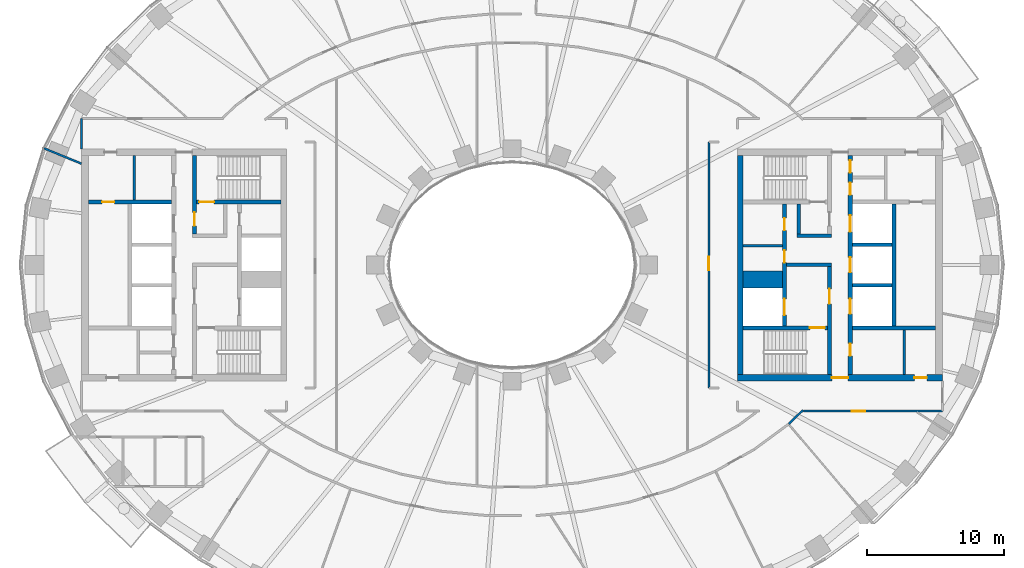
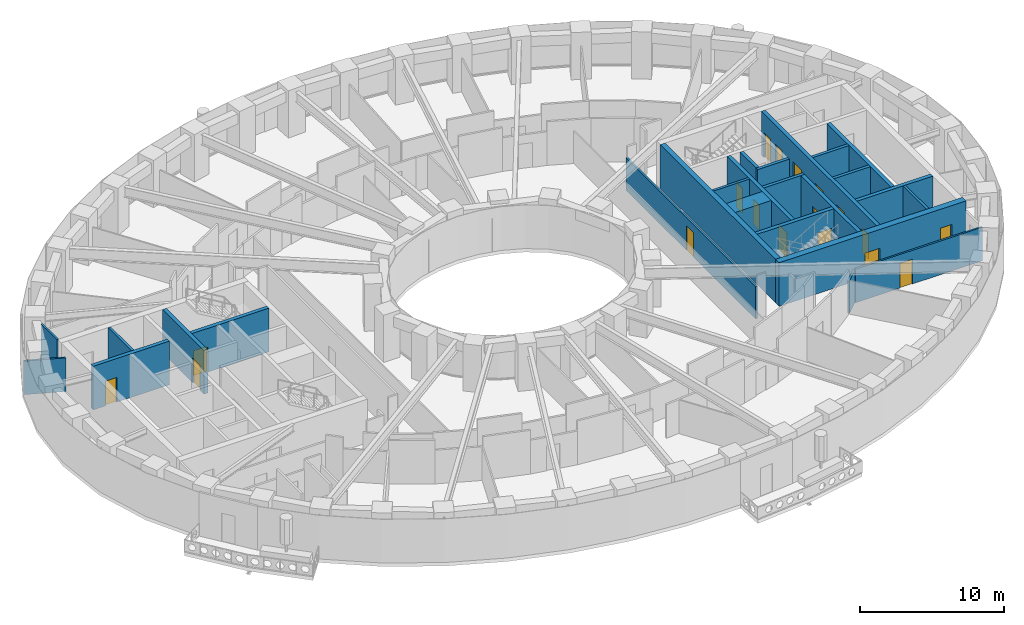
# One storey, part 5 of 16: 25 walls, 18 doors, 18 openings.
"""IFC4 building model written with IfcOpenShell, lengths in metres."""

from ifc_helpers import new_model, si_unit, direction, frame, frame_2d, origin, place, context, subcontext, project, spatial, rectangle, extrude, material, layer, layer_set, type_object, element, fill, save


model = new_model("IFC4")

# Units and contexts
model_context = context("Model", 3, precision=1e-05, world=origin(), true_north=direction((0.0, 1.0)))
body_context = subcontext(model_context, "Body", "Model", "MODEL_VIEW")
ifc_project = project(units=[si_unit("LENGTHUNIT", "METRE"), si_unit("AREAUNIT", "SQUARE_METRE"), si_unit("VOLUMEUNIT", "CUBIC_METRE"), si_unit("PLANEANGLEUNIT", "RADIAN"), si_unit("MASSUNIT", "GRAM", prefix="KILO")], contexts=[model_context])

# Site, building, storey
site_placement = place(None, origin())
site = spatial("IfcSite", under=ifc_project, at=site_placement, CompositionType="ELEMENT")
building_placement = place(site_placement, origin())
building = spatial("IfcBuilding", under=site, at=building_placement, Name="Noorbagh Ring Tower", CompositionType="ELEMENT")
storey_placement = place(building_placement, frame((0.0, 0.0, 66.5)))
storey = spatial("IfcBuildingStorey", under=building, at=storey_placement, Name="L14", CompositionType="ELEMENT", Elevation=66.5)

# Walls
ifc_material_1 = material(Name="Gypsum board on steel studs", Category="steel")
ifc_layer_1 = layer(ifc_material_1, 0.199951171875)
ifc_layer_set_1 = layer_set([ifc_layer_1], Name="Gypsum board on steel studs")
wall_type_1 = type_object("IfcWallType", Name="CORE-PARTITION-200", PredefinedType="PARTITIONING", material=ifc_layer_set_1)
wall_1_placement = place(storey_placement, frame((-27.64990234375, 4.75, 0.0), z_axis=(0.0, 0.0, 1.0), x_axis=(0.0, 1.0, 0.0)))
element("IfcWall", 1, at=wall_1_placement, inside=storey, type_object=wall_type_1, Name="Core partition W", PredefinedType="PARTITIONING", context=body_context, shape_type="SweptSolid", body=[
    extrude(rectangle(XDim=3.25, YDim=0.199951171875, at=frame_2d((1.625, 0.0))), origin(), (0.0, 0.0, 1.0), 3.699951171875),
])
wall_2_placement = place(storey_placement, frame((16.89990234375, 1.39990234375, 0.0), z_axis=(0.0, 0.0, 1.0), x_axis=(1.0, 0.0, 0.0)))
element("IfcWall", 2, at=wall_2_placement, inside=storey, type_object=wall_type_1, Name="Core partition E", PredefinedType="PARTITIONING", context=body_context, shape_type="SweptSolid", body=[
    extrude(rectangle(XDim=2.900146484375, YDim=0.199951171875, at=frame_2d((1.4501953125, 0.0))), origin(), (0.0, 0.0, 1.0), 3.699951171875),
])
wall_3_placement = place(storey_placement, frame((28.699951171875, -8.0, 0.0), z_axis=(0.0, 0.0, 1.0), x_axis=(0.0, 1.0, 0.0)))
element("IfcWall", 3, at=wall_3_placement, inside=storey, type_object=wall_type_1, Name="Core partition E", PredefinedType="PARTITIONING", context=body_context, shape_type="SweptSolid", body=[
    extrude(rectangle(XDim=3.25, YDim=0.199951171875, at=frame_2d((1.625, 0.0))), origin(), (0.0, 0.0, 1.0), 3.699951171875),
])
ifc_material_2 = material(Name="Concrete C70/85", Category="concrete")
ifc_layer_2 = layer(ifc_material_2, 1.25)
ifc_layer_set_2 = layer_set([ifc_layer_2], Name="Concrete C70/85")
wall_type_2 = type_object("IfcWallType", Name="CORE-WALL-1250-C70-85-EI120", PredefinedType="SHEAR", material=ifc_layer_set_2)
wall_4_placement = place(storey_placement, frame((16.89990234375, -1.074951171875, 0.0), z_axis=(0.0, 0.0, 1.0), x_axis=(1.0, 0.0, 0.0)))
element("IfcWall", 4, at=wall_4_placement, inside=storey, type_object=wall_type_2, Name="Core wall E", PredefinedType="SHEAR", context=body_context, shape_type="SweptSolid", body=[
    extrude(rectangle(XDim=2.900146484375, YDim=1.25, at=frame_2d((1.4501953125, 0.0))), origin(), (0.0, 0.0, 1.0), 3.699951171875),
])
ifc_material_3 = material(Name="Concrete C70/85", Category="concrete")
ifc_layer_3 = layer(ifc_material_3, 0.25)
ifc_layer_set_3 = layer_set([ifc_layer_3], Name="Concrete C70/85")
wall_type_3 = type_object("IfcWallType", Name="CORE-WALL-250-C70-85-EI120", PredefinedType="SHEAR", material=ifc_layer_set_3)
for number, where, z_axis, x_axis, name in (
    (5, (24.89990234375, -1.47509765625, 0.0), (0.0, 0.0, 1.0), (1.0, 0.0, 0.0), "Core wall E"),
    (6, (24.89990234375, 1.47509765625, 0.0), (0.0, 0.0, 1.0), (1.0, 0.0, 0.0), "Core wall E"),
):
    element("IfcWall", number, at=place(storey_placement, frame(where, z_axis=z_axis, x_axis=x_axis)), inside=storey, type_object=wall_type_3, Name=name, PredefinedType="SHEAR", context=body_context, shape_type="SweptSolid", body=[
        extrude(rectangle(XDim=2.900146484375, YDim=0.25, at=frame_2d((1.4501953125, 0.0))), origin(), (0.0, 0.0, 1.0), 3.699951171875),
    ])
ifc_material_4 = material(Name="Concrete C70/85", Category="concrete")
ifc_layer_4 = layer(ifc_material_4, 0.25)
ifc_layer_set_4 = layer_set([ifc_layer_4], Name="Concrete C70/85")
wall_type_4 = type_object("IfcWallType", Name="CORE-WALL-250-C70-85-EI240", PredefinedType="SHEAR", material=ifc_layer_set_4)
wall_5_placement = place(storey_placement, frame((20.10009765625, 0.0, 0.0), z_axis=(0.0, 0.0, 1.0), x_axis=(1.0, 0.0, 0.0)))
element("IfcWall", 7, at=wall_5_placement, inside=storey, type_object=wall_type_4, Name="Core wall E", PredefinedType="SHEAR", context=body_context, shape_type="SweptSolid", body=[
    extrude(rectangle(XDim=3.27978515625, YDim=0.25, at=frame_2d((1.639892578125, 0.0))), origin(), (0.0, 0.0, 1.0), 3.699951171875),
])
wall_6_placement = place(storey_placement, frame((20.85009765625, 2.125, 0.0), z_axis=(0.0, 0.0, 1.0), x_axis=(1.0, 0.0, 0.0)))
element("IfcWall", 8, at=wall_6_placement, inside=storey, type_object=wall_type_4, Name="Core wall E", PredefinedType="SHEAR", context=body_context, shape_type="SweptSolid", body=[
    extrude(rectangle(XDim=2.52978515625, YDim=0.25, at=frame_2d((1.264892578125, 0.0))), origin(), (0.0, 0.0, 1.0), 3.699951171875),
])
wall_7_placement = place(storey_placement, frame((20.97509765625, 2.25, 0.0), z_axis=(0.0, 0.0, 1.0), x_axis=(0.0, 1.0, 0.0)))
element("IfcWall", 9, at=wall_7_placement, inside=storey, type_object=wall_type_4, Name="Core wall E", PredefinedType="SHEAR", context=body_context, shape_type="SweptSolid", body=[
    extrude(rectangle(XDim=2.199951171875, YDim=0.25, at=frame_2d((1.10009765625, 0.0))), origin(), (0.0, 0.0, 1.0), 3.699951171875),
])
ifc_material_5 = material(Name="Concrete C70/85", Category="concrete")
ifc_layer_5 = layer(ifc_material_5, 0.300048828125)
ifc_layer_set_5 = layer_set([ifc_layer_5], Name="Concrete C70/85")
wall_type_5 = type_object("IfcWallType", Name="CORE-WALL-300-C70-85-EI120", PredefinedType="SHEAR", material=ifc_layer_set_5)
wall_8_placement = place(storey_placement, frame((27.949951171875, -4.449951171875, 0.0), z_axis=(0.0, 0.0, 1.0), x_axis=(0.0, 1.0, 0.0)))
element("IfcWall", 10, at=wall_8_placement, inside=storey, type_object=wall_type_5, Name="Core wall E", PredefinedType="SHEAR", context=body_context, shape_type="SweptSolid", body=[
    extrude(rectangle(XDim=8.89990234375, YDim=0.300048828125, at=frame_2d((4.449951171875, 0.0))), origin(), (0.0, 0.0, 1.0), 3.699951171875),
])

# Wall, openings, doors
wall_9_placement = place(storey_placement, frame((19.949951171875, -4.449951171875, 0.0), z_axis=(0.0, 0.0, 1.0), x_axis=(0.0, 1.0, 0.0)))
wall_9 = element("IfcWall", 11, at=wall_9_placement, inside=storey, type_object=wall_type_5, Name="Core wall E", PredefinedType="SHEAR", context=body_context, shape_type="SweptSolid", body=[
    extrude(rectangle(XDim=8.89990234375, YDim=0.300048828125, at=frame_2d((4.449951171875, 0.0))), origin(), (0.0, 0.0, 1.0), 3.699951171875),
])
opening_1_placement = place(wall_9_placement, frame((0.77490234375, 0.0, 0.0)))
opening_1 = element("IfcOpeningElement", 12, at=opening_1_placement, cuts=wall_9, Name="Opening L14-CE01", PredefinedType="OPENING", context=body_context, shape_type="SweptSolid", body=[
    extrude(rectangle(XDim=1.199951171875, YDim=2.10009765625, at=frame_2d((0.60009765625, 1.050048828125))), frame((0.0, 0.16015625, 0.0), z_axis=(0.0, -1.0, 0.0), x_axis=(1.0, 0.0, 0.0)), (0.0, 0.0, 1.0), 0.320068359375),
])
opening_2_placement = place(wall_9_placement, frame((4.6201171875, 0.0, 0.0)))
opening_2 = element("IfcOpeningElement", 13, at=opening_2_placement, cuts=wall_9, Name="Opening L14-CE11", PredefinedType="OPENING", context=body_context, shape_type="SweptSolid", body=[
    extrude(rectangle(XDim=0.89990234375, YDim=2.10009765625, at=frame_2d((0.449951171875, 1.050048828125))), frame((0.0, 0.16015625, 0.0), z_axis=(0.0, -1.0, 0.0), x_axis=(1.0, 0.0, 0.0)), (0.0, 0.0, 1.0), 0.320068359375),
])
opening_3_placement = place(wall_9_placement, frame((6.97509765625, 0.0, 0.0)))
opening_3 = element("IfcOpeningElement", 14, at=opening_3_placement, cuts=wall_9, Name="Opening L14-CE12", PredefinedType="OPENING", context=body_context, shape_type="SweptSolid", body=[
    extrude(rectangle(XDim=0.89990234375, YDim=2.10009765625, at=frame_2d((0.449951171875, 1.050048828125))), frame((0.0, 0.16015625, 0.0), z_axis=(0.0, -1.0, 0.0), x_axis=(1.0, 0.0, 0.0)), (0.0, 0.0, 1.0), 0.320068359375),
])
ifc_material_6 = material(Name="Steel door leaf", Category="steel")
door_type_1 = type_object("IfcDoorType", Name="CORE-DOOR-DROOM", OperationType="SINGLE_SWING_LEFT", PredefinedType="DOOR", material=ifc_material_6)
door_1_placement = place(opening_2_placement, origin())
door_1 = element("IfcDoor", 15, at=door_1_placement, inside=storey, type_object=door_type_1, Name="Core room door L14-CE11", OperationType="SINGLE_SWING_LEFT", OverallHeight=2.10009765625, OverallWidth=0.89990234375, PredefinedType="DOOR", context=body_context, shape_type="SweptSolid", body=[
    extrude(rectangle(XDim=0.89990234375, YDim=2.10009765625, at=frame_2d((0.449951171875, 1.050048828125))), frame((0.0, 0.02490234375, 0.0), z_axis=(0.0, -1.0, 0.0), x_axis=(1.0, 0.0, 0.0)), (0.0, 0.0, 1.0), 0.050048828125),
])
fill(opening_2, door_1)
door_2_placement = place(opening_3_placement, origin())
door_2 = element("IfcDoor", 16, at=door_2_placement, inside=storey, type_object=door_type_1, Name="Core room door L14-CE12", OperationType="SINGLE_SWING_RIGHT", OverallHeight=2.10009765625, OverallWidth=0.89990234375, PredefinedType="DOOR", context=body_context, shape_type="SweptSolid", body=[
    extrude(rectangle(XDim=0.89990234375, YDim=2.10009765625, at=frame_2d((0.449951171875, 1.050048828125))), frame((0.0, 0.02490234375, 0.0), z_axis=(0.0, -1.0, 0.0), x_axis=(1.0, 0.0, 0.0)), (0.0, 0.0, 1.0), 0.050048828125),
])
fill(opening_3, door_2)
ifc_material_7 = material(Name="Steel door leaf", Category="steel")
door_type_2 = type_object("IfcDoorType", Name="CORE-DOOR-LDW", OperationType="DOUBLE_DOOR_SLIDING", PredefinedType="DOOR", material=ifc_material_7)
door_3_placement = place(opening_1_placement, origin())
door_3 = element("IfcDoor", 17, at=door_3_placement, inside=storey, type_object=door_type_2, Name="Landing door FF2 L14-CE01", OperationType="DOUBLE_DOOR_SLIDING", OverallHeight=2.10009765625, OverallWidth=1.199951171875, PredefinedType="DOOR", context=body_context, shape_type="SweptSolid", body=[
    extrude(rectangle(XDim=1.199951171875, YDim=2.10009765625, at=frame_2d((0.60009765625, 1.050048828125))), frame((0.0, 0.02490234375, 0.0), z_axis=(0.0, -1.0, 0.0), x_axis=(1.0, 0.0, 0.0)), (0.0, 0.0, 1.0), 0.050048828125),
])
fill(opening_1, door_3)

wall_10_placement = place(storey_placement, frame((24.75, -8.0, 0.0), z_axis=(0.0, 0.0, 1.0), x_axis=(0.0, 1.0, 0.0)))
wall_10 = element("IfcWall", 18, at=wall_10_placement, inside=storey, type_object=wall_type_5, Name="Core wall E", PredefinedType="SHEAR", context=body_context, shape_type="SweptSolid", body=[
    extrude(rectangle(XDim=16.0, YDim=0.300048828125, at=frame_2d((8.0, 0.0))), origin(), (0.0, 0.0, 1.0), 3.699951171875),
])
opening_4_placement = place(wall_10_placement, frame((4.425048828125, 0.0, 0.0)))
opening_4 = element("IfcOpeningElement", 19, at=opening_4_placement, cuts=wall_10, Name="Opening L14-CE02", PredefinedType="OPENING", context=body_context, shape_type="SweptSolid", body=[
    extrude(rectangle(XDim=1.10009765625, YDim=2.10009765625, at=frame_2d((0.550048828125, 1.050048828125))), frame((0.0, 0.16015625, 0.0), z_axis=(0.0, -1.0, 0.0), x_axis=(1.0, 0.0, 0.0)), (0.0, 0.0, 1.0), 0.320068359375),
])
opening_5_placement = place(wall_10_placement, frame((7.449951171875, 0.0, 0.0)))
opening_5 = element("IfcOpeningElement", 20, at=opening_5_placement, cuts=wall_10, Name="Opening L14-CE03", PredefinedType="OPENING", context=body_context, shape_type="SweptSolid", body=[
    extrude(rectangle(XDim=1.10009765625, YDim=2.10009765625, at=frame_2d((0.550048828125, 1.050048828125))), frame((0.0, 0.16015625, 0.0), z_axis=(0.0, -1.0, 0.0), x_axis=(1.0, 0.0, 0.0)), (0.0, 0.0, 1.0), 0.320068359375),
])
opening_6_placement = place(wall_10_placement, frame((10.425048828125, 0.0, 0.0)))
opening_6 = element("IfcOpeningElement", 21, at=opening_6_placement, cuts=wall_10, Name="Opening L14-CE04", PredefinedType="OPENING", context=body_context, shape_type="SweptSolid", body=[
    extrude(rectangle(XDim=1.199951171875, YDim=2.10009765625, at=frame_2d((0.60009765625, 1.050048828125))), frame((0.0, 0.16015625, 0.0), z_axis=(0.0, -1.0, 0.0), x_axis=(1.0, 0.0, 0.0)), (0.0, 0.0, 1.0), 0.320068359375),
])
opening_7_placement = place(wall_10_placement, frame((13.125, 0.0, 0.0)))
opening_7 = element("IfcOpeningElement", 22, at=opening_7_placement, cuts=wall_10, Name="Opening L14-CE13", PredefinedType="OPENING", context=body_context, shape_type="SweptSolid", body=[
    extrude(rectangle(XDim=0.89990234375, YDim=2.10009765625, at=frame_2d((0.449951171875, 1.050048828125))), frame((0.0, 0.16015625, 0.0), z_axis=(0.0, -1.0, 0.0), x_axis=(1.0, 0.0, 0.0)), (0.0, 0.0, 1.0), 0.320068359375),
])
opening_8_placement = place(wall_10_placement, frame((14.75, 0.0, 0.0)))
opening_8 = element("IfcOpeningElement", 23, at=opening_8_placement, cuts=wall_10, Name="Opening L14-CE14", PredefinedType="OPENING", context=body_context, shape_type="SweptSolid", body=[
    extrude(rectangle(XDim=0.89990234375, YDim=2.10009765625, at=frame_2d((0.449951171875, 1.050048828125))), frame((0.0, 0.16015625, 0.0), z_axis=(0.0, -1.0, 0.0), x_axis=(1.0, 0.0, 0.0)), (0.0, 0.0, 1.0), 0.320068359375),
])
opening_9_placement = place(wall_10_placement, frame((1.35009765625, 0.0, 0.0)))
opening_9 = element("IfcOpeningElement", 24, at=opening_9_placement, cuts=wall_10, Name="Opening L14-CE16", PredefinedType="OPENING", context=body_context, shape_type="SweptSolid", body=[
    extrude(rectangle(XDim=0.89990234375, YDim=2.10009765625, at=frame_2d((0.449951171875, 1.050048828125))), frame((0.0, 0.16015625, 0.0), z_axis=(0.0, -1.0, 0.0), x_axis=(1.0, 0.0, 0.0)), (0.0, 0.0, 1.0), 0.320068359375),
])
door_4_placement = place(opening_7_placement, origin())
door_4 = element("IfcDoor", 25, at=door_4_placement, inside=storey, type_object=door_type_1, Name="Core room door L14-CE13", OperationType="SINGLE_SWING_RIGHT", OverallHeight=2.10009765625, OverallWidth=0.89990234375, PredefinedType="DOOR", context=body_context, shape_type="SweptSolid", body=[
    extrude(rectangle(XDim=0.89990234375, YDim=2.10009765625, at=frame_2d((0.449951171875, 1.050048828125))), frame((0.0, 0.02490234375, 0.0), z_axis=(0.0, -1.0, 0.0), x_axis=(1.0, 0.0, 0.0)), (0.0, 0.0, 1.0), 0.050048828125),
])
fill(opening_7, door_4)
door_5_placement = place(opening_8_placement, origin())
door_5 = element("IfcDoor", 26, at=door_5_placement, inside=storey, type_object=door_type_1, Name="Core room door L14-CE14", OperationType="SINGLE_SWING_LEFT", OverallHeight=2.10009765625, OverallWidth=0.89990234375, PredefinedType="DOOR", context=body_context, shape_type="SweptSolid", body=[
    extrude(rectangle(XDim=0.89990234375, YDim=2.10009765625, at=frame_2d((0.449951171875, 1.050048828125))), frame((0.0, 0.02490234375, 0.0), z_axis=(0.0, -1.0, 0.0), x_axis=(1.0, 0.0, 0.0)), (0.0, 0.0, 1.0), 0.050048828125),
])
fill(opening_8, door_5)
door_6_placement = place(opening_9_placement, origin())
door_6 = element("IfcDoor", 27, at=door_6_placement, inside=storey, type_object=door_type_1, Name="Core room door L14-CE16", OperationType="SINGLE_SWING_RIGHT", OverallHeight=2.10009765625, OverallWidth=0.89990234375, PredefinedType="DOOR", context=body_context, shape_type="SweptSolid", body=[
    extrude(rectangle(XDim=0.89990234375, YDim=2.10009765625, at=frame_2d((0.449951171875, 1.050048828125))), frame((0.0, 0.02490234375, 0.0), z_axis=(0.0, -1.0, 0.0), x_axis=(1.0, 0.0, 0.0)), (0.0, 0.0, 1.0), 0.050048828125),
])
fill(opening_9, door_6)
ifc_material_8 = material(Name="Steel door leaf", Category="steel")
door_type_3 = type_object("IfcDoorType", Name="CORE-DOOR-LD", OperationType="DOUBLE_DOOR_SLIDING", PredefinedType="DOOR", material=ifc_material_8)
door_7_placement = place(opening_4_placement, origin())
door_7 = element("IfcDoor", 28, at=door_7_placement, inside=storey, type_object=door_type_3, Name="Landing door LR3 L14-CE02", OperationType="DOUBLE_DOOR_SLIDING", OverallHeight=2.10009765625, OverallWidth=1.10009765625, PredefinedType="DOOR", context=body_context, shape_type="SweptSolid", body=[
    extrude(rectangle(XDim=1.10009765625, YDim=2.10009765625, at=frame_2d((0.550048828125, 1.050048828125))), frame((0.0, 0.02490234375, 0.0), z_axis=(0.0, -1.0, 0.0), x_axis=(1.0, 0.0, 0.0)), (0.0, 0.0, 1.0), 0.050048828125),
])
fill(opening_4, door_7)
door_8_placement = place(opening_5_placement, origin())
door_8 = element("IfcDoor", 29, at=door_8_placement, inside=storey, type_object=door_type_3, Name="Landing door LR4 L14-CE03", OperationType="DOUBLE_DOOR_SLIDING", OverallHeight=2.10009765625, OverallWidth=1.10009765625, PredefinedType="DOOR", context=body_context, shape_type="SweptSolid", body=[
    extrude(rectangle(XDim=1.10009765625, YDim=2.10009765625, at=frame_2d((0.550048828125, 1.050048828125))), frame((0.0, 0.02490234375, 0.0), z_axis=(0.0, -1.0, 0.0), x_axis=(1.0, 0.0, 0.0)), (0.0, 0.0, 1.0), 0.050048828125),
])
fill(opening_5, door_8)
door_9_placement = place(opening_6_placement, origin())
door_9 = element("IfcDoor", 30, at=door_9_placement, inside=storey, type_object=door_type_2, Name="Landing door SV2 L14-CE04", OperationType="DOUBLE_DOOR_SLIDING", OverallHeight=2.10009765625, OverallWidth=1.199951171875, PredefinedType="DOOR", context=body_context, shape_type="SweptSolid", body=[
    extrude(rectangle(XDim=1.199951171875, YDim=2.10009765625, at=frame_2d((0.60009765625, 1.050048828125))), frame((0.0, 0.02490234375, 0.0), z_axis=(0.0, -1.0, 0.0), x_axis=(1.0, 0.0, 0.0)), (0.0, 0.0, 1.0), 0.050048828125),
])
fill(opening_6, door_9)

# Wall, opening, door
ifc_material_9 = material(Name="Concrete C70/85", Category="concrete")
ifc_layer_6 = layer(ifc_material_9, 0.300048828125)
ifc_layer_set_6 = layer_set([ifc_layer_6], Name="Concrete C70/85")
wall_type_6 = type_object("IfcWallType", Name="CORE-WALL-300-C70-85-EI240", PredefinedType="SHEAR", material=ifc_layer_set_6)
wall_11_placement = place(storey_placement, frame((-24.89990234375, 4.60009765625, 0.0), z_axis=(0.0, 0.0, 1.0), x_axis=(-1.0, 0.0, 0.0)))
wall_11 = element("IfcWall", 31, at=wall_11_placement, inside=storey, type_object=wall_type_6, Name="Core wall W", PredefinedType="SHEAR", context=body_context, shape_type="SweptSolid", body=[
    extrude(rectangle(XDim=6.10009765625, YDim=0.300048828125, at=frame_2d((3.050048828125, 0.0))), origin(), (0.0, 0.0, 1.0), 3.699951171875),
])
opening_10_placement = place(wall_11_placement, frame((4.199951171875, 0.0, 0.0)))
opening_10 = element("IfcOpeningElement", 32, at=opening_10_placement, cuts=wall_11, Name="Opening L14-CW17", PredefinedType="OPENING", context=body_context, shape_type="SweptSolid", body=[
    extrude(rectangle(XDim=0.89990234375, YDim=2.10009765625, at=frame_2d((0.449951171875, 1.050048828125))), frame((0.0, 0.16015625, 0.0), z_axis=(0.0, -1.0, 0.0), x_axis=(1.0, 0.0, 0.0)), (0.0, 0.0, 1.0), 0.320068359375),
])
door_10_placement = place(opening_10_placement, origin())
door_10 = element("IfcDoor", 33, at=door_10_placement, inside=storey, type_object=door_type_1, Name="Core room door L14-CW17", OperationType="SINGLE_SWING_LEFT", OverallHeight=2.10009765625, OverallWidth=0.89990234375, PredefinedType="DOOR", context=body_context, shape_type="SweptSolid", body=[
    extrude(rectangle(XDim=0.89990234375, YDim=2.10009765625, at=frame_2d((0.449951171875, 1.050048828125))), frame((0.0, 0.02490234375, 0.0), z_axis=(0.0, -1.0, 0.0), x_axis=(1.0, 0.0, 0.0)), (0.0, 0.0, 1.0), 0.050048828125),
])
fill(opening_10, door_10)

wall_12_placement = place(storey_placement, frame((-23.22998046875, 2.25, 0.0), z_axis=(0.0, 0.0, 1.0), x_axis=(0.0, 1.0, 0.0)))
wall_12 = element("IfcWall", 34, at=wall_12_placement, inside=storey, type_object=wall_type_6, Name="Core wall W", PredefinedType="SHEAR", context=body_context, shape_type="SweptSolid", body=[
    extrude(rectangle(XDim=5.75, YDim=0.300048828125, at=frame_2d((2.875, 0.0))), origin(), (0.0, 0.0, 1.0), 3.699951171875),
])
opening_11_placement = place(wall_12_placement, frame((0.60009765625, 0.0, 0.0)))
opening_11 = element("IfcOpeningElement", 35, at=opening_11_placement, cuts=wall_12, Name="Opening L14-CW08", PredefinedType="OPENING", context=body_context, shape_type="SweptSolid", body=[
    extrude(rectangle(XDim=1.0, YDim=2.10009765625, at=frame_2d((0.5, 1.050048828125))), frame((0.0, 0.16015625, 0.0), z_axis=(0.0, -1.0, 0.0), x_axis=(1.0, 0.0, 0.0)), (0.0, 0.0, 1.0), 0.320068359375),
])
ifc_material_10 = material(Name="Steel door leaf", Category="steel")
door_type_4 = type_object("IfcDoorType", Name="CORE-DOOR-DVEST", OperationType="SINGLE_SWING_LEFT", PredefinedType="DOOR", material=ifc_material_10)
door_11_placement = place(opening_11_placement, origin())
door_11 = element("IfcDoor", 36, at=door_11_placement, inside=storey, type_object=door_type_4, Name="Stair vestibule door L14-CW08", OperationType="SINGLE_SWING_LEFT", OverallHeight=2.10009765625, OverallWidth=1.0, PredefinedType="DOOR", context=body_context, shape_type="SweptSolid", body=[
    extrude(rectangle(XDim=1.0, YDim=2.10009765625, at=frame_2d((0.5, 1.050048828125))), frame((0.0, 0.02490234375, 0.0), z_axis=(0.0, -1.0, 0.0), x_axis=(1.0, 0.0, 0.0)), (0.0, 0.0, 1.0), 0.050048828125),
])
fill(opening_11, door_11)

wall_13_placement = place(storey_placement, frame((-16.89990234375, 4.60009765625, 0.0), z_axis=(0.0, 0.0, 1.0), x_axis=(-1.0, 0.0, 0.0)))
wall_13 = element("IfcWall", 37, at=wall_13_placement, inside=storey, type_object=wall_type_6, Name="Core wall W", PredefinedType="SHEAR", context=body_context, shape_type="SweptSolid", body=[
    extrude(rectangle(XDim=6.18017578125, YDim=0.300048828125, at=frame_2d((3.090087890625, 0.0))), origin(), (0.0, 0.0, 1.0), 3.699951171875),
])
opening_12_placement = place(wall_13_placement, frame((4.89990234375, 0.0, 0.0)))
opening_12 = element("IfcOpeningElement", 38, at=opening_12_placement, cuts=wall_13, Name="Opening L14-CW05", PredefinedType="OPENING", context=body_context, shape_type="SweptSolid", body=[
    extrude(rectangle(XDim=1.10009765625, YDim=2.10009765625, at=frame_2d((0.550048828125, 1.050048828125))), frame((0.0, 0.16015625, 0.0), z_axis=(0.0, -1.0, 0.0), x_axis=(1.0, 0.0, 0.0)), (0.0, 0.0, 1.0), 0.320068359375),
])
ifc_material_11 = material(Name="Steel door leaf", Category="steel")
door_type_5 = type_object("IfcDoorType", Name="CORE-DOOR-DSTAIR", OperationType="SINGLE_SWING_LEFT", PredefinedType="DOOR", material=ifc_material_11)
door_12_placement = place(opening_12_placement, origin())
door_12 = element("IfcDoor", 39, at=door_12_placement, inside=storey, type_object=door_type_5, Name="Stair door ST1 L14-CW05", OperationType="SINGLE_SWING_RIGHT", OverallHeight=2.10009765625, OverallWidth=1.10009765625, PredefinedType="DOOR", context=body_context, shape_type="SweptSolid", body=[
    extrude(rectangle(XDim=1.10009765625, YDim=2.10009765625, at=frame_2d((0.550048828125, 1.050048828125))), frame((0.0, 0.02490234375, 0.0), z_axis=(0.0, -1.0, 0.0), x_axis=(1.0, 0.0, 0.0)), (0.0, 0.0, 1.0), 0.050048828125),
])
fill(opening_12, door_12)

# Wall
wall_14_placement = place(storey_placement, frame((24.89990234375, -4.60009765625, 0.0), z_axis=(0.0, 0.0, 1.0), x_axis=(1.0, 0.0, 0.0)))
element("IfcWall", 40, at=wall_14_placement, inside=storey, type_object=wall_type_6, Name="Core wall E", PredefinedType="SHEAR", context=body_context, shape_type="SweptSolid", body=[
    extrude(rectangle(XDim=6.10009765625, YDim=0.300048828125, at=frame_2d((3.050048828125, 0.0))), origin(), (0.0, 0.0, 1.0), 3.699951171875),
])

# Wall, opening, door
wall_15_placement = place(storey_placement, frame((23.22998046875, -8.0, 0.0), z_axis=(0.0, 0.0, 1.0), x_axis=(0.0, 1.0, 0.0)))
wall_15 = element("IfcWall", 41, at=wall_15_placement, inside=storey, type_object=wall_type_6, Name="Core wall E", PredefinedType="SHEAR", context=body_context, shape_type="SweptSolid", body=[
    extrude(rectangle(XDim=7.875, YDim=0.300048828125, at=frame_2d((3.9375, 0.0))), origin(), (0.0, 0.0, 1.0), 3.699951171875),
])
opening_13_placement = place(wall_15_placement, frame((5.14990234375, 0.0, 0.0)))
opening_13 = element("IfcOpeningElement", 42, at=opening_13_placement, cuts=wall_15, Name="Opening L14-CE07", PredefinedType="OPENING", context=body_context, shape_type="SweptSolid", body=[
    extrude(rectangle(XDim=1.10009765625, YDim=2.10009765625, at=frame_2d((0.550048828125, 1.050048828125))), frame((0.0, 0.16015625, 0.0), z_axis=(0.0, -1.0, 0.0), x_axis=(1.0, 0.0, 0.0)), (0.0, 0.0, 1.0), 0.320068359375),
])
ifc_material_12 = material(Name="Steel door leaf", Category="steel")
door_type_6 = type_object("IfcDoorType", Name="CORE-DOOR-DFF", OperationType="SINGLE_SWING_LEFT", PredefinedType="DOOR", material=ifc_material_12)
door_13_placement = place(opening_13_placement, origin())
door_13 = element("IfcDoor", 43, at=door_13_placement, inside=storey, type_object=door_type_6, Name="Firefighting lobby door L14-CE07", OperationType="SINGLE_SWING_RIGHT", OverallHeight=2.10009765625, OverallWidth=1.10009765625, PredefinedType="DOOR", context=body_context, shape_type="SweptSolid", body=[
    extrude(rectangle(XDim=1.10009765625, YDim=2.10009765625, at=frame_2d((0.550048828125, 1.050048828125))), frame((0.0, 0.02490234375, 0.0), z_axis=(0.0, -1.0, 0.0), x_axis=(1.0, 0.0, 0.0)), (0.0, 0.0, 1.0), 0.050048828125),
])
fill(opening_13, door_13)

wall_16_placement = place(storey_placement, frame((16.89990234375, -4.60009765625, 0.0), z_axis=(0.0, 0.0, 1.0), x_axis=(1.0, 0.0, 0.0)))
wall_16 = element("IfcWall", 44, at=wall_16_placement, inside=storey, type_object=wall_type_6, Name="Core wall E", PredefinedType="SHEAR", context=body_context, shape_type="SweptSolid", body=[
    extrude(rectangle(XDim=6.18017578125, YDim=0.300048828125, at=frame_2d((3.090087890625, 0.0))), origin(), (0.0, 0.0, 1.0), 3.699951171875),
])
opening_14_placement = place(wall_16_placement, frame((4.89990234375, 0.0, 0.0)))
opening_14 = element("IfcOpeningElement", 45, at=opening_14_placement, cuts=wall_16, Name="Opening L14-CE06", PredefinedType="OPENING", context=body_context, shape_type="SweptSolid", body=[
    extrude(rectangle(XDim=1.10009765625, YDim=2.10009765625, at=frame_2d((0.550048828125, 1.050048828125))), frame((0.0, 0.16015625, 0.0), z_axis=(0.0, -1.0, 0.0), x_axis=(1.0, 0.0, 0.0)), (0.0, 0.0, 1.0), 0.320068359375),
])
door_14_placement = place(opening_14_placement, origin())
door_14 = element("IfcDoor", 46, at=door_14_placement, inside=storey, type_object=door_type_5, Name="Stair door ST4 L14-CE06", OperationType="SINGLE_SWING_RIGHT", OverallHeight=2.10009765625, OverallWidth=1.10009765625, PredefinedType="DOOR", context=body_context, shape_type="SweptSolid", body=[
    extrude(rectangle(XDim=1.10009765625, YDim=2.10009765625, at=frame_2d((0.550048828125, 1.050048828125))), frame((0.0, 0.02490234375, 0.0), z_axis=(0.0, -1.0, 0.0), x_axis=(1.0, 0.0, 0.0)), (0.0, 0.0, 1.0), 0.050048828125),
])
fill(opening_14, door_14)

# Wall
ifc_material_13 = material(Name="Concrete C70/85", Category="concrete")
ifc_layer_7 = layer(ifc_material_13, 0.39990234375)
ifc_layer_set_7 = layer_set([ifc_layer_7], Name="Concrete C70/85")
wall_type_7 = type_object("IfcWallType", Name="CORE-WALL-400-C70-85-EI240", PredefinedType="SHEAR", material=ifc_layer_set_7)
wall_17_placement = place(storey_placement, frame((16.699951171875, -8.0, 0.0), z_axis=(0.0, 0.0, 1.0), x_axis=(0.0, 1.0, 0.0)))
element("IfcWall", 47, at=wall_17_placement, inside=storey, type_object=wall_type_7, Name="Core wall E", PredefinedType="SHEAR", context=body_context, shape_type="SweptSolid", body=[
    extrude(rectangle(XDim=16.0, YDim=0.39990234375, at=frame_2d((8.0, 0.0))), origin(), (0.0, 0.0, 1.0), 3.699951171875),
])

# Wall, openings, doors
ifc_material_14 = material(Name="Concrete C70/85", Category="concrete")
ifc_layer_8 = layer(ifc_material_14, 0.5)
ifc_layer_set_8 = layer_set([ifc_layer_8], Name="Concrete C70/85")
wall_type_8 = type_object("IfcWallType", Name="CORE-WALL-500-C70-85-EI240", PredefinedType="SHEAR", material=ifc_layer_set_8)
wall_18_placement = place(storey_placement, frame((16.5, -8.25, 0.0), z_axis=(0.0, 0.0, 1.0), x_axis=(1.0, 0.0, 0.0)))
wall_18 = element("IfcWall", 48, at=wall_18_placement, inside=storey, type_object=wall_type_8, Name="Core wall E", PredefinedType="SHEAR", context=body_context, shape_type="SweptSolid", body=[
    extrude(rectangle(XDim=15.0, YDim=0.5, at=frame_2d((7.5, 0.0))), origin(), (0.0, 0.0, 1.0), 3.699951171875),
])
opening_15_placement = place(wall_18_placement, frame((6.89990234375, 0.0, 0.0)))
opening_15 = element("IfcOpeningElement", 49, at=opening_15_placement, cuts=wall_18, Name="Opening L14-CE10", PredefinedType="OPENING", context=body_context, shape_type="SweptSolid", body=[
    extrude(rectangle(XDim=1.199951171875, YDim=2.10009765625, at=frame_2d((0.60009765625, 1.050048828125))), frame((0.0, 0.260009765625, 0.0), z_axis=(0.0, -1.0, 0.0), x_axis=(1.0, 0.0, 0.0)), (0.0, 0.0, 1.0), 0.52001953125),
])
opening_16_placement = place(wall_18_placement, frame((12.949951171875, 0.0, 0.0)))
opening_16 = element("IfcOpeningElement", 50, at=opening_16_placement, cuts=wall_18, Name="Opening L14-CE17", PredefinedType="OPENING", context=body_context, shape_type="SweptSolid", body=[
    extrude(rectangle(XDim=0.89990234375, YDim=2.10009765625, at=frame_2d((0.449951171875, 1.050048828125))), frame((0.0, 0.260009765625, 0.0), z_axis=(0.0, -1.0, 0.0), x_axis=(1.0, 0.0, 0.0)), (0.0, 0.0, 1.0), 0.52001953125),
])
door_15_placement = place(opening_16_placement, origin())
door_15 = element("IfcDoor", 51, at=door_15_placement, inside=storey, type_object=door_type_1, Name="Core room door L14-CE17", OperationType="SINGLE_SWING_RIGHT", OverallHeight=2.10009765625, OverallWidth=0.89990234375, PredefinedType="DOOR", context=body_context, shape_type="SweptSolid", body=[
    extrude(rectangle(XDim=0.89990234375, YDim=2.10009765625, at=frame_2d((0.449951171875, 1.050048828125))), frame((0.0, 0.02490234375, 0.0), z_axis=(0.0, -1.0, 0.0), x_axis=(1.0, 0.0, 0.0)), (0.0, 0.0, 1.0), 0.050048828125),
])
fill(opening_16, door_15)
ifc_material_15 = material(Name="Steel door leaf", Category="steel")
door_type_7 = type_object("IfcDoorType", Name="CORE-DOOR-PORT", OperationType="DOUBLE_DOOR_DOUBLE_SWING", PredefinedType="DOOR", material=ifc_material_15)
door_16_placement = place(opening_15_placement, origin())
door_16 = element("IfcDoor", 52, at=door_16_placement, inside=storey, type_object=door_type_7, Name="Core entrance door L14-CE10", OperationType="DOUBLE_DOOR_DOUBLE_SWING", OverallHeight=2.10009765625, OverallWidth=1.199951171875, PredefinedType="DOOR", context=body_context, shape_type="SweptSolid", body=[
    extrude(rectangle(XDim=1.199951171875, YDim=2.10009765625, at=frame_2d((0.60009765625, 1.050048828125))), frame((0.0, 0.02490234375, 0.0), z_axis=(0.0, -1.0, 0.0), x_axis=(1.0, 0.0, 0.0)), (0.0, 0.0, 1.0), 0.050048828125),
])
fill(opening_15, door_16)

# Walls
ifc_material_16 = material(Name="Gypsum board on steel studs", Category="steel")
ifc_layer_9 = layer(ifc_material_16, 0.14990234375)
ifc_layer_set_9 = layer_set([ifc_layer_9], Name="Gypsum board on steel studs")
wall_type_9 = type_object("IfcWallType", Name="CORRIDOR PARTITION 150 EI 30", PredefinedType="PARTITIONING", material=ifc_layer_set_9)
wall_19_placement = place(storey_placement, frame((-34.23388671875, 8.530029296875, 0.0), z_axis=(0.0, 0.0, 1.0), x_axis=(0.925344112436, -0.379128307542, 0.0)))
element("IfcWall", 53, at=wall_19_placement, inside=storey, type_object=wall_type_9, Name="L14/wall/P01", PredefinedType="PARTITIONING", context=body_context, shape_type="SweptSolid", body=[
    extrude(rectangle(XDim=2.954345703125, YDim=0.14990234375, at=frame_2d((1.47705078125, 0.0))), origin(), (0.0, 0.0, 1.0), 2.85009765625),
])
wall_20_placement = place(storey_placement, frame((-31.5, 8.5, 0.0), z_axis=(0.0, 0.0, 1.0), x_axis=(0.0, 1.0, 0.0)))
element("IfcWall", 54, at=wall_20_placement, inside=storey, type_object=wall_type_9, Name="L14/wall/P05", PredefinedType="PARTITIONING", context=body_context, shape_type="SweptSolid", body=[
    extrude(rectangle(XDim=2.199951171875, YDim=0.14990234375, at=frame_2d((1.10009765625, 0.0))), origin(), (0.0, 0.0, 1.0), 3.699951171875),
])

# Wall, opening, door
wall_21_placement = place(storey_placement, frame((14.39990234375, -9.0, 0.0), z_axis=(0.0, 0.0, 1.0), x_axis=(0.0, 1.0, 0.0)))
wall_21 = element("IfcWall", 55, at=wall_21_placement, inside=storey, type_object=wall_type_9, Name="L14/wall/P83", PredefinedType="PARTITIONING", context=body_context, shape_type="SweptSolid", body=[
    extrude(rectangle(XDim=18.0, YDim=0.14990234375, at=frame_2d((9.0, 0.0))), origin(), (0.0, 0.0, 1.0), 2.75),
])
opening_17_placement = place(wall_21_placement, frame((8.60009765625, 0.0, 0.0)))
opening_17 = element("IfcOpeningElement", 56, at=opening_17_placement, cuts=wall_21, Name="Opening D1", PredefinedType="OPENING", context=body_context, shape_type="SweptSolid", body=[
    extrude(rectangle(XDim=1.0, YDim=2.10009765625, at=frame_2d((0.5, 1.050048828125))), frame((0.0, 0.0849609375, 0.0), z_axis=(0.0, -1.0, 0.0), x_axis=(1.0, 0.0, 0.0)), (0.0, 0.0, 1.0), 0.169921875),
])
ifc_material_17 = material(Name="Timber, painted", Category="wood")
door_type_8 = type_object("IfcDoorType", Name="DOOR 1000 X 2100 FD30", OperationType="SINGLE_SWING_LEFT", PredefinedType="DOOR", material=ifc_material_17)
door_17_placement = place(opening_17_placement, origin())
door_17 = element("IfcDoor", 57, at=door_17_placement, inside=storey, type_object=door_type_8, Name="L14-D26", OperationType="SINGLE_SWING_RIGHT", OverallHeight=2.10009765625, OverallWidth=1.0, PredefinedType="DOOR", context=body_context, shape_type="SweptSolid", body=[
    extrude(rectangle(XDim=1.0, YDim=2.10009765625, at=frame_2d((0.5, 1.050048828125))), frame((0.0, 0.02490234375, 0.0), z_axis=(0.0, -1.0, 0.0), x_axis=(1.0, 0.0, 0.0)), (0.0, 0.0, 1.0), 0.050048828125),
])
fill(opening_17, door_17)

# Wall
wall_22_placement = place(storey_placement, frame((20.257080078125, -11.6279296875, 0.0), z_axis=(0.0, 0.0, 1.0), x_axis=(0.717129161976, 0.696940288005, 0.0)))
element("IfcWall", 58, at=wall_22_placement, inside=storey, type_object=wall_type_9, Name="L14/wall/P100", PredefinedType="PARTITIONING", context=body_context, shape_type="SweptSolid", body=[
    extrude(rectangle(XDim=1.43896484375, YDim=0.14990234375, at=frame_2d((0.719482421875, 0.0))), origin(), (0.0, 0.0, 1.0), 2.75),
])

# Wall, opening, door
wall_23_placement = place(storey_placement, frame((21.320068359375, -10.699951171875, 0.0), z_axis=(0.0, 0.0, 1.0), x_axis=(1.0, 0.0, 0.0)))
wall_23 = element("IfcWall", 59, at=wall_23_placement, inside=storey, type_object=wall_type_9, Name="L14/wall/P102", PredefinedType="PARTITIONING", context=body_context, shape_type="SweptSolid", body=[
    extrude(rectangle(XDim=10.179931640625, YDim=0.14990234375, at=frame_2d((5.08984375, 0.0))), origin(), (0.0, 0.0, 1.0), 2.85009765625),
])
opening_18_placement = place(wall_23_placement, frame((3.5419921875, 0.0, 0.0)))
opening_18 = element("IfcOpeningElement", 60, at=opening_18_placement, cuts=wall_23, Name="Opening D1", PredefinedType="OPENING", context=body_context, shape_type="SweptSolid", body=[
    extrude(rectangle(XDim=1.0, YDim=2.10009765625, at=frame_2d((0.5, 1.050048828125))), frame((0.0, 0.0849609375, 0.0), z_axis=(0.0, -1.0, 0.0), x_axis=(1.0, 0.0, 0.0)), (0.0, 0.0, 1.0), 0.169921875),
])
door_18_placement = place(opening_18_placement, origin())
door_18 = element("IfcDoor", 61, at=door_18_placement, inside=storey, type_object=door_type_8, Name="L14-D17", OperationType="SINGLE_SWING_LEFT", OverallHeight=2.10009765625, OverallWidth=1.0, PredefinedType="DOOR", context=body_context, shape_type="SweptSolid", body=[
    extrude(rectangle(XDim=1.0, YDim=2.10009765625, at=frame_2d((0.5, 1.050048828125))), frame((0.0, 0.02490234375, 0.0), z_axis=(0.0, -1.0, 0.0), x_axis=(1.0, 0.0, 0.0)), (0.0, 0.0, 1.0), 0.050048828125),
])
fill(opening_18, door_18)

save(model, "model.ifc")
